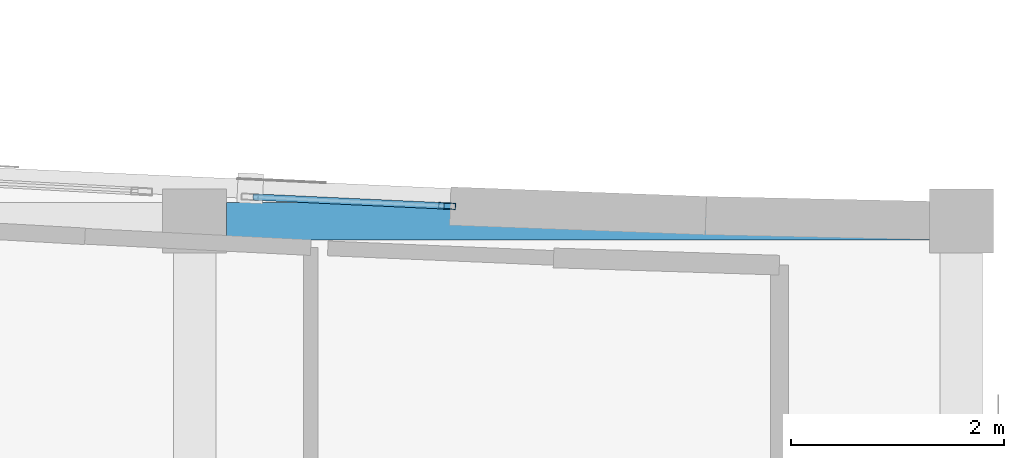
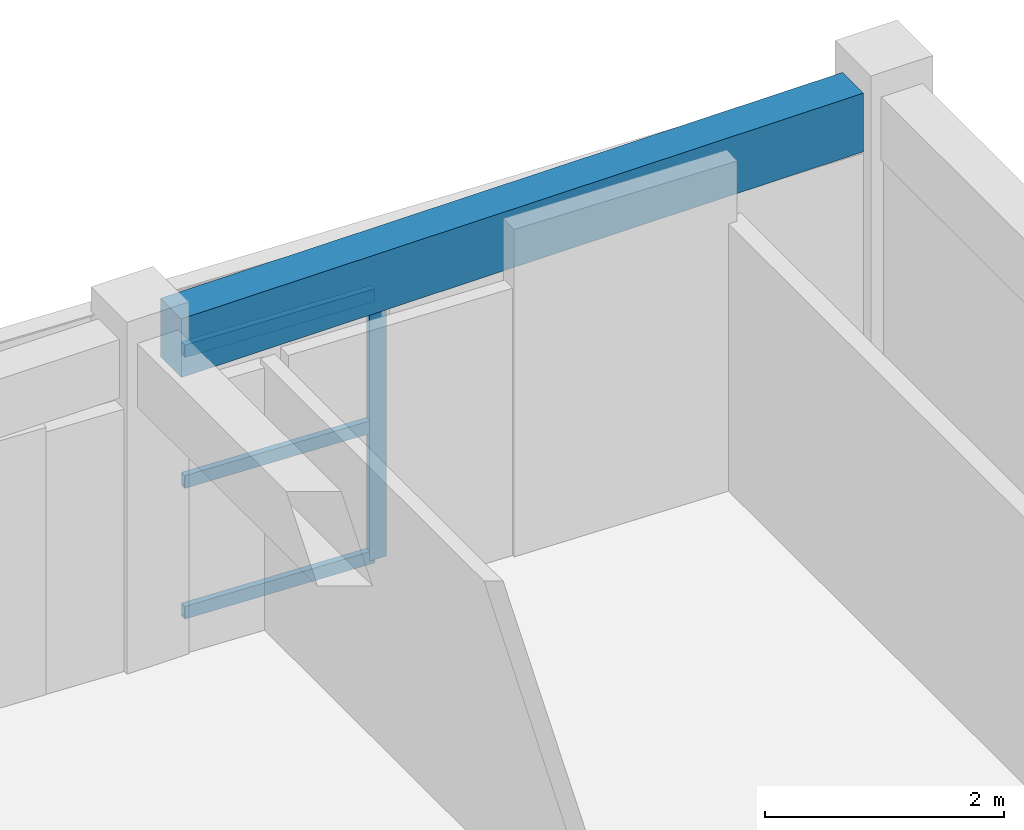
# One storey, part 29 of 48: 4 members, 1 beam, 1 element without a shape of its own.
"""IFC4 building model written with IfcOpenShell, lengths in metres."""

from ifc_helpers import new_model, si_unit, direction, frame, origin, origin_2d, place, context, subcontext, project, spatial, rectangle, hollow_rectangle, extrude, material, layer, layer_set, material_profile, profile_set, type_object, element, aggregate, save


model = new_model("IFC4")

# Units and contexts
model_context = context("Model", 3, precision=1e-05, world=origin(), true_north=direction((0.0, 1.0)))
body_context = subcontext(model_context, "Body", "Model", "MODEL_VIEW")
ifc_project = project(units=[si_unit("LENGTHUNIT", "METRE"), si_unit("AREAUNIT", "SQUARE_METRE"), si_unit("VOLUMEUNIT", "CUBIC_METRE"), si_unit("PLANEANGLEUNIT", "RADIAN"), si_unit("MASSUNIT", "GRAM", prefix="KILO")], contexts=[model_context])

# Site, building, storey
site_placement = place(None, origin())
site = spatial("IfcSite", under=ifc_project, at=site_placement, CompositionType="ELEMENT")
building_placement = place(site_placement, origin())
building = spatial("IfcBuilding", under=site, at=building_placement, Name="Carrowvane Square Congress Hotel", CompositionType="ELEMENT")
storey_placement = place(building_placement, frame((0.0, 0.0, 26.39990234375)))
storey = spatial("IfcBuildingStorey", under=building, at=storey_placement, Name="L06", CompositionType="ELEMENT", Elevation=26.39990234375)

# Beam
ifc_material_1 = material(Name="Concrete C35/45", Category="concrete")
ifc_material_profile_1 = material_profile(ifc_material_1, rectangle(XDim=0.35009765625, YDim=0.60009765625, at=origin_2d()), Name="RC 350x600")
ifc_profile_set_1 = profile_set([ifc_material_profile_1], Name="Concrete C35/45")
beam_type = type_object("IfcBeamType", Name="BM-RC-350x600", PredefinedType="BEAM", material=ifc_profile_set_1)
beam_placement = place(storey_placement, frame((155.89990234375, 113.39990234375, 3.050048828125), z_axis=(1.0, 0.0, 0.0), x_axis=(0.0, 1.0, 0.0)))
element("IfcBeam", 1, at=beam_placement, inside=storey, type_object=beam_type, Name="L07 girder R/21-22", PredefinedType="BEAM", context=body_context, shape_type="SweptSolid", body=[
    extrude(rectangle(XDim=0.35009765625, YDim=0.60009765625, at=origin_2d()), origin(), (0.0, 0.0, 1.0), 6.60009765625),
])

# Curtain wall, members
ifc_material_2 = material(Name="Anodised aluminium", Category="aluminium")
ifc_layer = layer(ifc_material_2, 0.23388671875)
ifc_layer_set = layer_set([ifc_layer], Name="Anodised aluminium")
curtain_wall_type = type_object("IfcCurtainWallType", Name="CW-SYS-7", PredefinedType="NOTDEFINED", material=ifc_layer_set)
curtain_wall_placement = place(storey_placement, origin())
curtain_wall = element("IfcCurtainWall", 2, at=curtain_wall_placement, inside=storey, type_object=curtain_wall_type, Name="L06 unitised curtain wall 406", PredefinedType="NOTDEFINED")
ifc_material_3 = material(Name="Anodised aluminium", Category="aluminium")
ifc_material_profile_2 = material_profile(ifc_material_3, hollow_rectangle(XDim=0.06005859375, YDim=0.159912109375, WallThickness=0.00390625, at=origin_2d()), Name="CW-ML 60x160x4")
ifc_profile_set_2 = profile_set([ifc_material_profile_2], Name="Anodised aluminium")
member_type_1 = type_object("IfcMemberType", Name="CW-MUL-1", PredefinedType="MULLION", material=ifc_profile_set_2)
member_1_placement = place(storey_placement, frame((157.969970703125, 113.54248046875, 0.0), z_axis=(0.0, 0.0, 1.0), x_axis=(0.046522035775, 0.998917263935, 0.0)))
member_1 = element("IfcMember", 3, at=member_1_placement, type_object=member_type_1, Name="CW-7 mullion 2", PredefinedType="MULLION", context=body_context, shape_type="SweptSolid", body=[
    extrude(hollow_rectangle(XDim=0.06005859375, YDim=0.159912109375, WallThickness=0.00390625, at=origin_2d()), origin(), (0.0, 0.0, 1.0), 2.735107421875),
])
ifc_material_4 = material(Name="Anodised aluminium", Category="aluminium")
ifc_material_profile_3 = material_profile(ifc_material_4, hollow_rectangle(XDim=0.06005859375, YDim=0.1298828125, WallThickness=0.00390625, at=origin_2d()), Name="CW-TR 60x130x4")
ifc_profile_set_3 = profile_set([ifc_material_profile_3], Name="Anodised aluminium")
member_type_2 = type_object("IfcMemberType", Name="CW-TRN-1", PredefinedType="USERDEFINED", material=ifc_profile_set_3)
member_2_placement = place(storey_placement, frame((156.1484375, 113.627197265625, 0.030029296875), z_axis=(0.998915968728, -0.04654983803, 0.0), x_axis=(0.04654983803, 0.998915968728, 0.0)))
member_2 = element("IfcMember", 4, at=member_2_placement, type_object=member_type_2, Name="CW-7 transom 1.1", ObjectType="TRANSOM", PredefinedType="USERDEFINED", context=body_context, shape_type="SweptSolid", body=[
    extrude(hollow_rectangle(XDim=0.06005859375, YDim=0.1298828125, WallThickness=0.00390625, at=origin_2d()), origin(), (0.0, 0.0, 1.0), 1.793701171875),
])
member_3_placement = place(storey_placement, frame((156.1484375, 113.627197265625, 1.36767578125), z_axis=(0.998915968728, -0.04654983803, 0.0), x_axis=(0.04654983803, 0.998915968728, 0.0)))
member_3 = element("IfcMember", 5, at=member_3_placement, type_object=member_type_2, Name="CW-7 transom 1.2", ObjectType="TRANSOM", PredefinedType="USERDEFINED", context=body_context, shape_type="SweptSolid", body=[
    extrude(hollow_rectangle(XDim=0.06005859375, YDim=0.1298828125, WallThickness=0.00390625, at=origin_2d()), origin(), (0.0, 0.0, 1.0), 1.793701171875),
])
member_4_placement = place(storey_placement, frame((156.1484375, 113.627197265625, 2.705078125), z_axis=(0.998915968728, -0.04654983803, 0.0), x_axis=(0.04654983803, 0.998915968728, 0.0)))
member_4 = element("IfcMember", 6, at=member_4_placement, type_object=member_type_2, Name="CW-7 transom 1.3", ObjectType="TRANSOM", PredefinedType="USERDEFINED", context=body_context, shape_type="SweptSolid", body=[
    extrude(hollow_rectangle(XDim=0.06005859375, YDim=0.1298828125, WallThickness=0.00390625, at=origin_2d()), origin(), (0.0, 0.0, 1.0), 1.793701171875),
])
aggregate(curtain_wall, [member_1, member_2, member_3, member_4])

save(model, "model.ifc")
